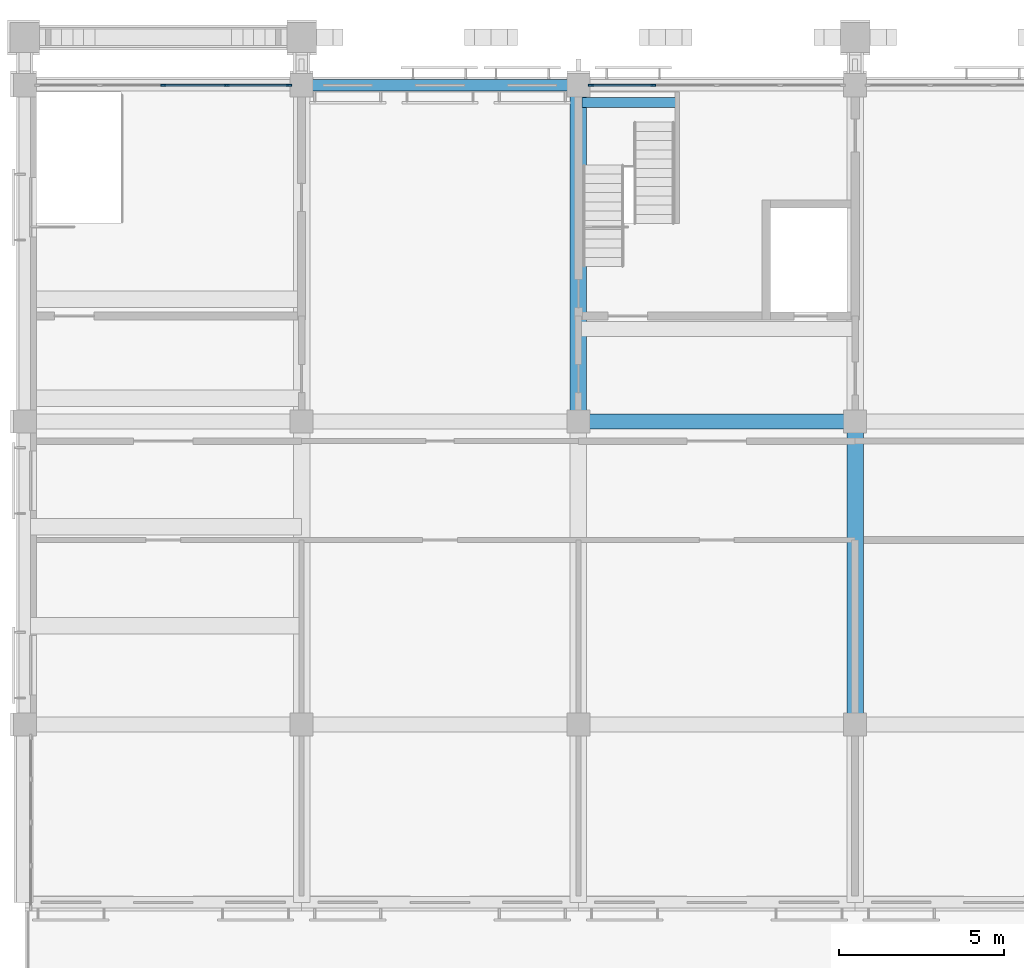
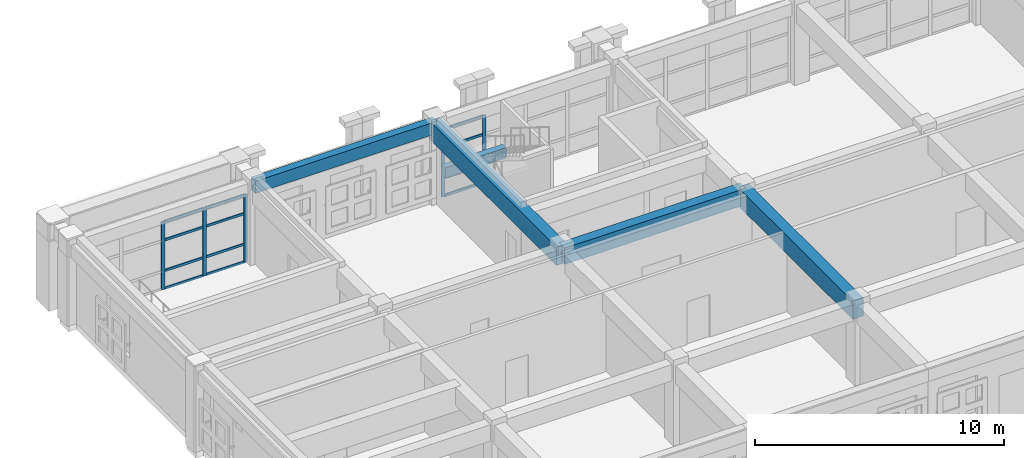
# One storey, part 25 of 99: 17 members, 5 beams, 2 elements without a shape of their own.
"""IFC4 building model written with IfcOpenShell, lengths in metres."""

from ifc_helpers import new_model, si_unit, direction, frame, origin, origin_2d, place, context, subcontext, project, spatial, rectangle, extrude, material, layer, layer_set, material_profile, profile_set, type_object, element, aggregate, save


model = new_model("IFC4")

# Units and contexts
model_context = context("Model", 3, precision=1e-05, world=origin(), true_north=direction((0.0, 1.0)))
body_context = subcontext(model_context, "Body", "Model", "MODEL_VIEW")
ifc_project = project(units=[si_unit("LENGTHUNIT", "METRE"), si_unit("AREAUNIT", "SQUARE_METRE"), si_unit("VOLUMEUNIT", "CUBIC_METRE"), si_unit("PLANEANGLEUNIT", "RADIAN"), si_unit("MASSUNIT", "GRAM", prefix="KILO")], contexts=[model_context])

# Site, building, storey
site_placement = place(None, origin())
site = spatial("IfcSite", under=ifc_project, at=site_placement, CompositionType="ELEMENT")
building_placement = place(site_placement, origin())
building = spatial("IfcBuilding", under=site, at=building_placement, Name="Wasatch Bagh Community Centre", CompositionType="ELEMENT")
storey_placement = place(building_placement, frame((0.0, 0.0, 4.199951171875)))
storey = spatial("IfcBuildingStorey", under=building, at=storey_placement, Name="L01", CompositionType="ELEMENT", Elevation=4.199951171875)

# Beams
ifc_material_1 = material(Name="Concrete C35", Category="concrete")
ifc_material_profile_1 = material_profile(ifc_material_1, rectangle(XDim=0.300048828125, YDim=0.5, at=origin_2d()), Name="RC 300x500")
ifc_profile_set_1 = profile_set([ifc_material_profile_1], Name="Concrete C35")
beam_type_1 = type_object("IfcBeamType", Name="LW RC 300x500", PredefinedType="BEAM", material=ifc_profile_set_1)
beam_1_placement = place(storey_placement, frame((80.905029296875, 97.280029296875, 1.650146484375), z_axis=(1.0, 0.0, 0.0), x_axis=(0.0, 1.0, 0.0)))
element("IfcBeam", 1, at=beam_1_placement, inside=storey, type_object=beam_type_1, Name="LW.lbeam.L01.C1", PredefinedType="BEAM", context=body_context, shape_type="SweptSolid", body=[
    extrude(rectangle(XDim=0.300048828125, YDim=0.5, at=origin_2d()), origin(), (0.0, 0.0, 1.0), 2.840087890625),
])
ifc_material_profile_2 = material_profile(ifc_material_1, rectangle(XDim=0.35009765625, YDim=0.60009765625, at=origin_2d()), Name="RC 350x600")
ifc_profile_set_2 = profile_set([ifc_material_profile_2], Name="Concrete C35")
beam_type_2 = type_object("IfcBeamType", Name="LW RC 350x600", PredefinedType="BEAM", material=ifc_profile_set_2)
beam_2_placement = place(storey_placement, frame((72.39990234375, 97.800048828125, 3.6201171875), z_axis=(1.0, 0.0, 0.0), x_axis=(0.0, 1.0, 0.0)))
element("IfcBeam", 2, at=beam_2_placement, inside=storey, type_object=beam_type_2, Name="W2-W3N", PredefinedType="BEAM", context=body_context, shape_type="SweptSolid", body=[
    extrude(rectangle(XDim=0.35009765625, YDim=0.60009765625, at=origin_2d()), origin(), (0.0, 0.0, 1.0), 8.400146484375),
])
ifc_material_profile_3 = material_profile(ifc_material_1, rectangle(XDim=0.449951171875, YDim=0.800048828125, at=origin_2d()), Name="RC 450x800")
ifc_profile_set_3 = profile_set([ifc_material_profile_3], Name="Concrete C35")
beam_type_3 = type_object("IfcBeamType", Name="LW RC 450x800", PredefinedType="BEAM", material=ifc_profile_set_3)
beam_3_placement = place(storey_placement, frame((80.800048828125, 87.60009765625, 3.52001953125), z_axis=(1.0, 0.0, 0.0), x_axis=(0.0, 1.0, 0.0)))
element("IfcBeam", 3, at=beam_3_placement, inside=storey, type_object=beam_type_3, Name="W3-W4M", PredefinedType="BEAM", context=body_context, shape_type="SweptSolid", body=[
    extrude(rectangle(XDim=0.449951171875, YDim=0.800048828125, at=origin_2d()), origin(), (0.0, 0.0, 1.0), 8.39990234375),
])
ifc_material_profile_4 = material_profile(ifc_material_1, rectangle(XDim=0.5, YDim=0.89990234375, at=origin_2d()), Name="RC 500x900")
ifc_profile_set_4 = profile_set([ifc_material_profile_4], Name="Concrete C35")
beam_type_4 = type_object("IfcBeamType", Name="LW RC 500x900", PredefinedType="BEAM", material=ifc_profile_set_4)
beam_4_placement = place(storey_placement, frame((80.800048828125, 87.60009765625, 3.469970703125), z_axis=(0.0, 1.0, 0.0), x_axis=(-1.0, 0.0, 0.0)))
element("IfcBeam", 4, at=beam_4_placement, inside=storey, type_object=beam_type_4, Name="W3M-N", PredefinedType="BEAM", context=body_context, shape_type="SweptSolid", body=[
    extrude(rectangle(XDim=0.5, YDim=0.89990234375, at=origin_2d()), origin(), (0.0, 0.0, 1.0), 10.199951171875),
])
beam_5_placement = place(storey_placement, frame((89.199951171875, 78.39990234375, 3.469970703125), z_axis=(0.0, 1.0, 0.0), x_axis=(-1.0, 0.0, 0.0)))
element("IfcBeam", 5, at=beam_5_placement, inside=storey, type_object=beam_type_4, Name="W4S-M", PredefinedType="BEAM", context=body_context, shape_type="SweptSolid", body=[
    extrude(rectangle(XDim=0.5, YDim=0.89990234375, at=origin_2d()), origin(), (0.0, 0.0, 1.0), 9.2001953125),
])

# Curtain wall, members
ifc_material_2 = material(Name="Aluminium curtain wall frame with low-iron glass", Category="aluminium")
ifc_layer = layer(ifc_material_2, 0.10009765625)
ifc_layer_set = layer_set([ifc_layer], Name="Aluminium curtain wall frame with low-iron glass")
curtain_wall_type = type_object("IfcCurtainWallType", Name="LW curtain wall 100", PredefinedType="NOTDEFINED", material=ifc_layer_set)
curtain_wall_1_placement = place(storey_placement, origin())
curtain_wall_1 = element("IfcCurtainWall", 6, at=curtain_wall_1_placement, inside=storey, type_object=curtain_wall_type, Name="Curtain wall 01.01", PredefinedType="NOTDEFINED")
ifc_material_3 = material(Name="Aluminium extrusion", Category="aluminium")
ifc_material_profile_5 = material_profile(ifc_material_3, rectangle(XDim=0.06005859375, YDim=0.159912109375, at=origin_2d()), Name="AL 60x160")
ifc_profile_set_5 = profile_set([ifc_material_profile_5], Name="Aluminium extrusion")
member_type_1 = type_object("IfcMemberType", Name="LW curtain wall mullion 60x160", PredefinedType="MULLION", material=ifc_profile_set_5)
member_1_placement = place(storey_placement, frame((68.199951171875, 97.800048828125, 0.0), z_axis=(0.0, 0.0, 1.0), x_axis=(0.0, 1.0, 0.0)))
member_1 = element("IfcMember", 7, at=member_1_placement, type_object=member_type_1, Name="LW-CW1 mullion 3", PredefinedType="MULLION", context=body_context, shape_type="SweptSolid", body=[
    extrude(rectangle(XDim=0.06005859375, YDim=0.159912109375, at=origin_2d()), origin(), (0.0, 0.0, 1.0), 3.320068359375),
])
member_2_placement = place(storey_placement, frame((70.125, 97.800048828125, 0.0), z_axis=(0.0, 0.0, 1.0), x_axis=(0.0, 1.0, 0.0)))
member_2 = element("IfcMember", 8, at=member_2_placement, type_object=member_type_1, Name="LW-CW1 mullion 4", PredefinedType="MULLION", context=body_context, shape_type="SweptSolid", body=[
    extrude(rectangle(XDim=0.06005859375, YDim=0.159912109375, at=origin_2d()), origin(), (0.0, 0.0, 1.0), 3.320068359375),
])
member_3_placement = place(storey_placement, frame((72.02001953125, 97.800048828125, 0.0), z_axis=(0.0, 0.0, 1.0), x_axis=(0.0, 1.0, 0.0)))
member_3 = element("IfcMember", 9, at=member_3_placement, type_object=member_type_1, Name="LW-CW1 mullion 5", PredefinedType="MULLION", context=body_context, shape_type="SweptSolid", body=[
    extrude(rectangle(XDim=0.06005859375, YDim=0.159912109375, at=origin_2d()), origin(), (0.0, 0.0, 1.0), 3.320068359375),
])

curtain_wall_2_placement = place(storey_placement, origin())
curtain_wall_2 = element("IfcCurtainWall", 10, at=curtain_wall_2_placement, inside=storey, type_object=curtain_wall_type, Name="Curtain wall 01.02", PredefinedType="NOTDEFINED")
member_4_placement = place(storey_placement, frame((81.179931640625, 97.800048828125, 0.0), z_axis=(0.0, 0.0, 1.0), x_axis=(0.0, 1.0, 0.0)))
member_4 = element("IfcMember", 11, at=member_4_placement, type_object=member_type_1, Name="LW-CW1 mullion 1", PredefinedType="MULLION", context=body_context, shape_type="SweptSolid", body=[
    extrude(rectangle(XDim=0.06005859375, YDim=0.159912109375, at=origin_2d()), origin(), (0.0, 0.0, 1.0), 3.320068359375),
])
member_5_placement = place(storey_placement, frame((83.074951171875, 97.800048828125, 0.0), z_axis=(0.0, 0.0, 1.0), x_axis=(0.0, 1.0, 0.0)))
member_5 = element("IfcMember", 12, at=member_5_placement, type_object=member_type_1, Name="LW-CW1 mullion 2", PredefinedType="MULLION", context=body_context, shape_type="SweptSolid", body=[
    extrude(rectangle(XDim=0.06005859375, YDim=0.159912109375, at=origin_2d()), origin(), (0.0, 0.0, 1.0), 3.320068359375),
])

# Member
ifc_material_profile_6 = material_profile(ifc_material_3, rectangle(XDim=0.06005859375, YDim=0.1201171875, at=origin_2d()), Name="AL 60x120")
ifc_profile_set_6 = profile_set([ifc_material_profile_6], Name="Aluminium extrusion")
member_type_2 = type_object("IfcMemberType", Name="LW curtain wall transom 60x120", PredefinedType="USERDEFINED", material=ifc_profile_set_6)
member_6_placement = place(storey_placement, frame((68.22998046875, 97.800048828125, 0.030029296875), z_axis=(1.0, 0.0, 0.0), x_axis=(0.0, 1.0, 0.0)))
member_6 = element("IfcMember", 13, at=member_6_placement, type_object=member_type_2, Name="LW-CW1 transom 3.1", ObjectType="TRANSOM", PredefinedType="USERDEFINED", context=body_context, shape_type="SweptSolid", body=[
    extrude(rectangle(XDim=0.06005859375, YDim=0.1201171875, at=origin_2d()), origin(), (0.0, 0.0, 1.0), 1.864990234375),
])

member_7_placement = place(storey_placement, frame((68.22998046875, 97.800048828125, 0.900146484375), z_axis=(1.0, 0.0, 0.0), x_axis=(0.0, 1.0, 0.0)))
member_7 = element("IfcMember", 14, at=member_7_placement, type_object=member_type_2, Name="LW-CW1 transom 3.2", ObjectType="TRANSOM", PredefinedType="USERDEFINED", context=body_context, shape_type="SweptSolid", body=[
    extrude(rectangle(XDim=0.06005859375, YDim=0.1201171875, at=origin_2d()), origin(), (0.0, 0.0, 1.0), 1.864990234375),
])

member_8_placement = place(storey_placement, frame((68.22998046875, 97.800048828125, 2.400146484375), z_axis=(1.0, 0.0, 0.0), x_axis=(0.0, 1.0, 0.0)))
member_8 = element("IfcMember", 15, at=member_8_placement, type_object=member_type_2, Name="LW-CW1 transom 3.3", ObjectType="TRANSOM", PredefinedType="USERDEFINED", context=body_context, shape_type="SweptSolid", body=[
    extrude(rectangle(XDim=0.06005859375, YDim=0.1201171875, at=origin_2d()), origin(), (0.0, 0.0, 1.0), 1.864990234375),
])

member_9_placement = place(storey_placement, frame((68.22998046875, 97.800048828125, 3.2900390625), z_axis=(1.0, 0.0, 0.0), x_axis=(0.0, 1.0, 0.0)))
member_9 = element("IfcMember", 16, at=member_9_placement, type_object=member_type_2, Name="LW-CW1 transom 3.4", ObjectType="TRANSOM", PredefinedType="USERDEFINED", context=body_context, shape_type="SweptSolid", body=[
    extrude(rectangle(XDim=0.06005859375, YDim=0.1201171875, at=origin_2d()), origin(), (0.0, 0.0, 1.0), 1.864990234375),
])

member_10_placement = place(storey_placement, frame((70.155029296875, 97.800048828125, 0.030029296875), z_axis=(1.0, 0.0, 0.0), x_axis=(0.0, 1.0, 0.0)))
member_10 = element("IfcMember", 17, at=member_10_placement, type_object=member_type_2, Name="LW-CW1 transom 4.1", ObjectType="TRANSOM", PredefinedType="USERDEFINED", context=body_context, shape_type="SweptSolid", body=[
    extrude(rectangle(XDim=0.06005859375, YDim=0.1201171875, at=origin_2d()), origin(), (0.0, 0.0, 1.0), 1.8349609375),
])

member_11_placement = place(storey_placement, frame((70.155029296875, 97.800048828125, 0.900146484375), z_axis=(1.0, 0.0, 0.0), x_axis=(0.0, 1.0, 0.0)))
member_11 = element("IfcMember", 18, at=member_11_placement, type_object=member_type_2, Name="LW-CW1 transom 4.2", ObjectType="TRANSOM", PredefinedType="USERDEFINED", context=body_context, shape_type="SweptSolid", body=[
    extrude(rectangle(XDim=0.06005859375, YDim=0.1201171875, at=origin_2d()), origin(), (0.0, 0.0, 1.0), 1.8349609375),
])

member_12_placement = place(storey_placement, frame((70.155029296875, 97.800048828125, 2.400146484375), z_axis=(1.0, 0.0, 0.0), x_axis=(0.0, 1.0, 0.0)))
member_12 = element("IfcMember", 19, at=member_12_placement, type_object=member_type_2, Name="LW-CW1 transom 4.3", ObjectType="TRANSOM", PredefinedType="USERDEFINED", context=body_context, shape_type="SweptSolid", body=[
    extrude(rectangle(XDim=0.06005859375, YDim=0.1201171875, at=origin_2d()), origin(), (0.0, 0.0, 1.0), 1.8349609375),
])

member_13_placement = place(storey_placement, frame((70.155029296875, 97.800048828125, 3.2900390625), z_axis=(1.0, 0.0, 0.0), x_axis=(0.0, 1.0, 0.0)))
member_13 = element("IfcMember", 20, at=member_13_placement, type_object=member_type_2, Name="LW-CW1 transom 4.4", ObjectType="TRANSOM", PredefinedType="USERDEFINED", context=body_context, shape_type="SweptSolid", body=[
    extrude(rectangle(XDim=0.06005859375, YDim=0.1201171875, at=origin_2d()), origin(), (0.0, 0.0, 1.0), 1.8349609375),
])

aggregate(curtain_wall_1, [member_1, member_2, member_3, member_6, member_7, member_8, member_9, member_10, member_11, member_12, member_13])

member_14_placement = place(storey_placement, frame((81.2099609375, 97.800048828125, 0.030029296875), z_axis=(1.0, 0.0, 0.0), x_axis=(0.0, 1.0, 0.0)))
member_14 = element("IfcMember", 21, at=member_14_placement, type_object=member_type_2, Name="LW-CW1 transom 1.1", ObjectType="TRANSOM", PredefinedType="USERDEFINED", context=body_context, shape_type="SweptSolid", body=[
    extrude(rectangle(XDim=0.06005859375, YDim=0.1201171875, at=origin_2d()), origin(), (0.0, 0.0, 1.0), 1.8349609375),
])

member_15_placement = place(storey_placement, frame((81.2099609375, 97.800048828125, 0.900146484375), z_axis=(1.0, 0.0, 0.0), x_axis=(0.0, 1.0, 0.0)))
member_15 = element("IfcMember", 22, at=member_15_placement, type_object=member_type_2, Name="LW-CW1 transom 1.2", ObjectType="TRANSOM", PredefinedType="USERDEFINED", context=body_context, shape_type="SweptSolid", body=[
    extrude(rectangle(XDim=0.06005859375, YDim=0.1201171875, at=origin_2d()), origin(), (0.0, 0.0, 1.0), 1.8349609375),
])

member_16_placement = place(storey_placement, frame((81.2099609375, 97.800048828125, 2.400146484375), z_axis=(1.0, 0.0, 0.0), x_axis=(0.0, 1.0, 0.0)))
member_16 = element("IfcMember", 23, at=member_16_placement, type_object=member_type_2, Name="LW-CW1 transom 1.3", ObjectType="TRANSOM", PredefinedType="USERDEFINED", context=body_context, shape_type="SweptSolid", body=[
    extrude(rectangle(XDim=0.06005859375, YDim=0.1201171875, at=origin_2d()), origin(), (0.0, 0.0, 1.0), 1.8349609375),
])

member_17_placement = place(storey_placement, frame((81.2099609375, 97.800048828125, 3.2900390625), z_axis=(1.0, 0.0, 0.0), x_axis=(0.0, 1.0, 0.0)))
member_17 = element("IfcMember", 24, at=member_17_placement, type_object=member_type_2, Name="LW-CW1 transom 1.4", ObjectType="TRANSOM", PredefinedType="USERDEFINED", context=body_context, shape_type="SweptSolid", body=[
    extrude(rectangle(XDim=0.06005859375, YDim=0.1201171875, at=origin_2d()), origin(), (0.0, 0.0, 1.0), 1.8349609375),
])

aggregate(curtain_wall_2, [member_4, member_5, member_14, member_15, member_16, member_17])

save(model, "model.ifc")
